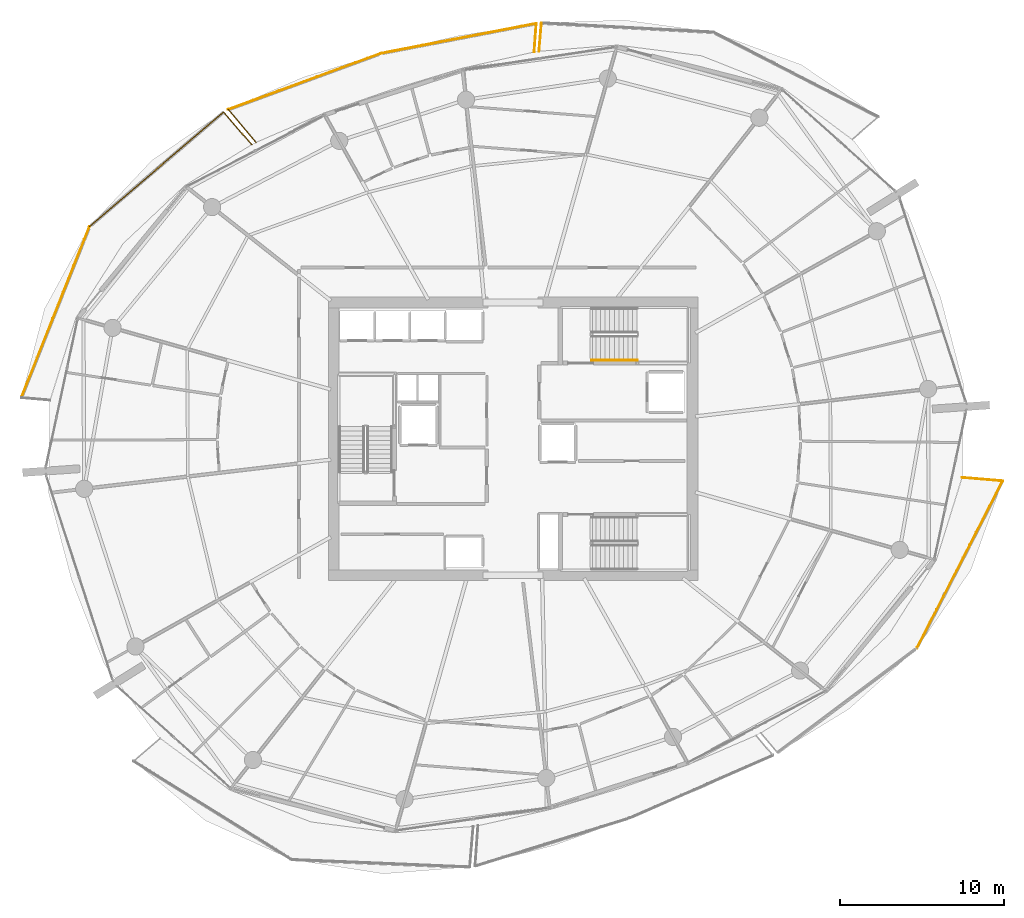
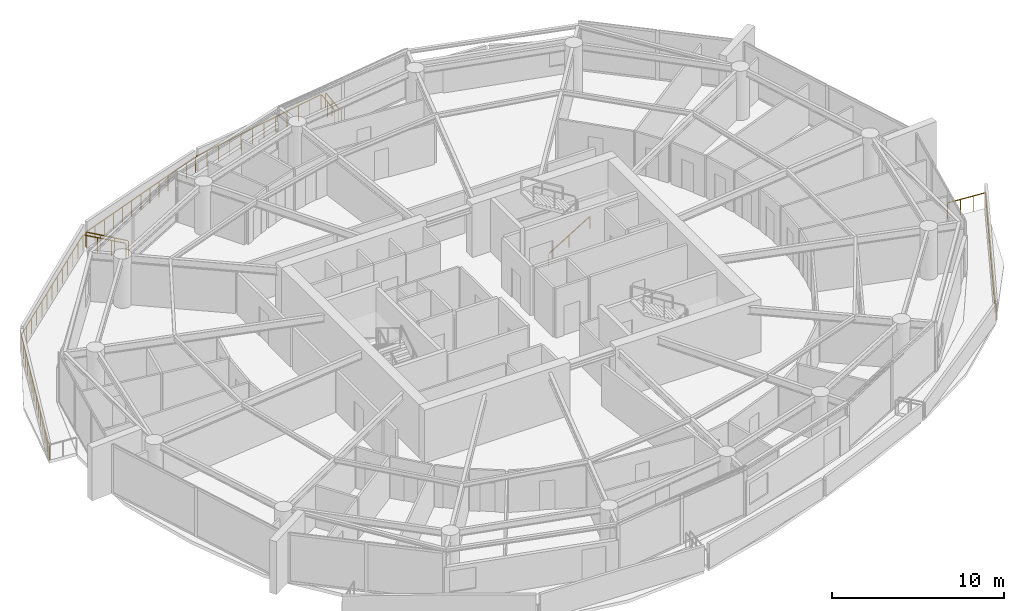
# One storey, part 19 of 20: 11 railings.
"""IFC4 building model written with IfcOpenShell, lengths in metres."""

from ifc_helpers import new_model, si_unit, direction, frame, origin, origin_2d, place, context, subcontext, project, spatial, rectangle, extrude, material, type_object, element, save


model = new_model("IFC4")

# Units and contexts
model_context = context("Model", 3, precision=1e-05, world=origin(), true_north=direction((0.0, 1.0)))
body_context = subcontext(model_context, "Body", "Model", "MODEL_VIEW")
ifc_project = project(units=[si_unit("LENGTHUNIT", "METRE"), si_unit("AREAUNIT", "SQUARE_METRE"), si_unit("VOLUMEUNIT", "CUBIC_METRE"), si_unit("PLANEANGLEUNIT", "RADIAN"), si_unit("MASSUNIT", "GRAM", prefix="KILO")], contexts=[model_context])

# Site, building, storey
site_placement = place(None, origin())
site = spatial("IfcSite", under=ifc_project, at=site_placement, CompositionType="ELEMENT")
building_placement = place(site_placement, origin())
building = spatial("IfcBuilding", under=site, at=building_placement, Name="Kazma Halo Residences", CompositionType="ELEMENT")
storey_placement = place(building_placement, frame((0.0, 0.0, 206.550048828125)))
storey = spatial("IfcBuildingStorey", under=building, at=storey_placement, Name="L52", CompositionType="ELEMENT", Elevation=206.550048828125)

# Railings
ifc_material_1 = material(Name="Aluminium AW-6063 T6 Brushed Cap Rail", Category="aluminium")
railing_type_1 = type_object("IfcRailingType", Name="RLG-BAL-CAP-1120", PredefinedType="BALUSTRADE", material=ifc_material_1)
railing_1_placement = place(storey_placement, frame((50.15380859375, 67.384521484375, 0.0)))
element("IfcRailing", 1, at=railing_1_placement, inside=storey, type_object=railing_type_1, Name="L52 NE wave balcony guard 4", PredefinedType="BALUSTRADE", context=body_context, shape_type="SweptSolid", body=[
    extrude(rectangle(XDim=0.050048828125, YDim=0.050048828125, at=origin_2d()), frame((-0.003662109375, -0.04248046875, 1.09521484375), z_axis=(-0.084582809101, -0.996416453299, 0.0), x_axis=(0.996416453299, -0.084582809101, 0.0)), (0.0, 0.0, 1.0), 1.649658203125),
    extrude(rectangle(XDim=0.0400390625, YDim=0.0400390625, at=origin_2d()), origin(), (0.0, 0.0, 1.0), 1.05810546875),
    extrude(rectangle(XDim=0.0400390625, YDim=0.0400390625, at=origin_2d()), frame((-0.0732421875, -0.8642578125, 0.0)), (0.0, 0.0, 1.0), 1.05810546875),
    extrude(rectangle(XDim=0.0400390625, YDim=0.0400390625, at=origin_2d()), frame((-0.146728515625, -1.728515625, 0.0)), (0.0, 0.0, 1.0), 1.05810546875),
])
railing_2_placement = place(storey_placement, frame((49.713134765625, 65.612060546875, 0.0)))
element("IfcRailing", 2, at=railing_2_placement, inside=storey, type_object=railing_type_1, Name="L52 NNW wave balcony guard 1", PredefinedType="BALUSTRADE", context=body_context, shape_type="SweptSolid", body=[
    extrude(rectangle(XDim=0.050048828125, YDim=0.050048828125, at=origin_2d()), frame((0.003173828125, 0.04248046875, 1.09521484375), z_axis=(0.072381236499, 0.997377038337, 0.0), x_axis=(-0.997377038337, 0.072381236499, 0.0)), (0.0, 0.0, 1.0), 1.65869140625),
    extrude(rectangle(XDim=0.0400390625, YDim=0.0400390625, at=origin_2d()), origin(), (0.0, 0.0, 1.0), 1.05810546875),
    extrude(rectangle(XDim=0.0400390625, YDim=0.0400390625, at=origin_2d()), frame((0.06298828125, 0.86962890625, 0.0)), (0.0, 0.0, 1.0), 1.05810546875),
    extrude(rectangle(XDim=0.0400390625, YDim=0.0400390625, at=origin_2d()), frame((0.126220703125, 1.7392578125, 0.0)), (0.0, 0.0, 1.0), 1.05810546875),
])
railing_3_placement = place(storey_placement, frame((49.83935546875, 67.351318359375, 0.0)))
element("IfcRailing", 3, at=railing_3_placement, inside=storey, type_object=railing_type_1, Name="L52 NNW wave balcony guard 2", PredefinedType="BALUSTRADE", context=body_context, shape_type="SweptSolid", body=[
    extrude(rectangle(XDim=0.050048828125, YDim=0.050048828125, at=origin_2d()), frame((-0.041748046875, -0.008056640625, 1.09521484375), z_axis=(-0.981918343352, -0.189304957647, 0.0), x_axis=(0.189304957647, -0.981918343352, 0.0)), (0.0, 0.0, 1.0), 9.572021484375),
    extrude(rectangle(XDim=0.0400390625, YDim=0.0400390625, at=origin_2d()), origin(), (0.0, 0.0, 1.0), 1.05810546875),
    extrude(rectangle(XDim=0.0400390625, YDim=0.0400390625, at=origin_2d()), frame((-0.862060546875, -0.166259765625, 0.0)), (0.0, 0.0, 1.0), 1.05810546875),
    extrude(rectangle(XDim=0.0400390625, YDim=0.0400390625, at=origin_2d()), frame((-1.72412109375, -0.332275390625, 0.0)), (0.0, 0.0, 1.0), 1.05810546875),
    extrude(rectangle(XDim=0.0400390625, YDim=0.0400390625, at=origin_2d()), frame((-2.586181640625, -0.49853515625, 0.0)), (0.0, 0.0, 1.0), 1.05810546875),
    extrude(rectangle(XDim=0.0400390625, YDim=0.0400390625, at=origin_2d()), frame((-3.4482421875, -0.664794921875, 0.0)), (0.0, 0.0, 1.0), 1.05810546875),
    extrude(rectangle(XDim=0.0400390625, YDim=0.0400390625, at=origin_2d()), frame((-4.310302734375, -0.8310546875, 0.0)), (0.0, 0.0, 1.0), 1.05810546875),
    extrude(rectangle(XDim=0.0400390625, YDim=0.0400390625, at=origin_2d()), frame((-5.172119140625, -0.9970703125, 0.0)), (0.0, 0.0, 1.0), 1.05810546875),
    extrude(rectangle(XDim=0.0400390625, YDim=0.0400390625, at=origin_2d()), frame((-6.0341796875, -1.163330078125, 0.0)), (0.0, 0.0, 1.0), 1.05810546875),
    extrude(rectangle(XDim=0.0400390625, YDim=0.0400390625, at=origin_2d()), frame((-6.896240234375, -1.32958984375, 0.0)), (0.0, 0.0, 1.0), 1.05810546875),
    extrude(rectangle(XDim=0.0400390625, YDim=0.0400390625, at=origin_2d()), frame((-7.75830078125, -1.495849609375, 0.0)), (0.0, 0.0, 1.0), 1.05810546875),
    extrude(rectangle(XDim=0.0400390625, YDim=0.0400390625, at=origin_2d()), frame((-8.620361328125, -1.661865234375, 0.0)), (0.0, 0.0, 1.0), 1.05810546875),
    extrude(rectangle(XDim=0.0400390625, YDim=0.0400390625, at=origin_2d()), frame((-9.482421875, -1.828125, 0.0)), (0.0, 0.0, 1.0), 1.05810546875),
])
railing_4_placement = place(storey_placement, frame((40.35693359375, 65.523193359375, 0.0)))
element("IfcRailing", 4, at=railing_4_placement, inside=storey, type_object=railing_type_1, Name="L52 NNW wave balcony guard 3", PredefinedType="BALUSTRADE", context=body_context, shape_type="SweptSolid", body=[
    extrude(rectangle(XDim=0.050048828125, YDim=0.050048828125, at=origin_2d()), frame((-0.0400390625, -0.0146484375, 1.09521484375), z_axis=(-0.938664070995, -0.344832947706, 0.0), x_axis=(0.344832947706, -0.938664070995, 0.0)), (0.0, 0.0, 1.0), 9.83740234375),
    extrude(rectangle(XDim=0.0400390625, YDim=0.0400390625, at=origin_2d()), origin(), (0.0, 0.0, 1.0), 1.05810546875),
    extrude(rectangle(XDim=0.0400390625, YDim=0.0400390625, at=origin_2d()), frame((-0.776123046875, -0.28515625, 0.0)), (0.0, 0.0, 1.0), 1.05810546875),
    extrude(rectangle(XDim=0.0400390625, YDim=0.0400390625, at=origin_2d()), frame((-1.55224609375, -0.5703125, 0.0)), (0.0, 0.0, 1.0), 1.05810546875),
    extrude(rectangle(XDim=0.0400390625, YDim=0.0400390625, at=origin_2d()), frame((-2.32861328125, -0.85546875, 0.0)), (0.0, 0.0, 1.0), 1.05810546875),
    extrude(rectangle(XDim=0.0400390625, YDim=0.0400390625, at=origin_2d()), frame((-3.104736328125, -1.140625, 0.0)), (0.0, 0.0, 1.0), 1.05810546875),
    extrude(rectangle(XDim=0.0400390625, YDim=0.0400390625, at=origin_2d()), frame((-3.880859375, -1.42578125, 0.0)), (0.0, 0.0, 1.0), 1.05810546875),
    extrude(rectangle(XDim=0.0400390625, YDim=0.0400390625, at=origin_2d()), frame((-4.656982421875, -1.7109375, 0.0)), (0.0, 0.0, 1.0), 1.05810546875),
    extrude(rectangle(XDim=0.0400390625, YDim=0.0400390625, at=origin_2d()), frame((-5.43310546875, -1.995849609375, 0.0)), (0.0, 0.0, 1.0), 1.05810546875),
    extrude(rectangle(XDim=0.0400390625, YDim=0.0400390625, at=origin_2d()), frame((-6.209228515625, -2.281005859375, 0.0)), (0.0, 0.0, 1.0), 1.05810546875),
    extrude(rectangle(XDim=0.0400390625, YDim=0.0400390625, at=origin_2d()), frame((-6.9853515625, -2.566162109375, 0.0)), (0.0, 0.0, 1.0), 1.05810546875),
    extrude(rectangle(XDim=0.0400390625, YDim=0.0400390625, at=origin_2d()), frame((-7.76171875, -2.851318359375, 0.0)), (0.0, 0.0, 1.0), 1.05810546875),
    extrude(rectangle(XDim=0.0400390625, YDim=0.0400390625, at=origin_2d()), frame((-8.537841796875, -3.136474609375, 0.0)), (0.0, 0.0, 1.0), 1.05810546875),
    extrude(rectangle(XDim=0.0400390625, YDim=0.0400390625, at=origin_2d()), frame((-9.31396484375, -3.421630859375, 0.0)), (0.0, 0.0, 1.0), 1.05810546875),
])
railing_5_placement = place(storey_placement, frame((31.04296875, 62.1015625, 0.0)))
element("IfcRailing", 5, at=railing_5_placement, inside=storey, type_object=railing_type_1, Name="L52 NNW wave balcony guard 4", PredefinedType="BALUSTRADE", context=body_context, shape_type="SweptSolid", body=[
    extrude(rectangle(XDim=0.050048828125, YDim=0.050048828125, at=origin_2d()), frame((0.02734375, -0.032470703125, 1.09521484375), z_axis=(0.644757158035, -0.764387471877, 0.0), x_axis=(0.764387471877, 0.644757158035, 0.0)), (0.0, 0.0, 1.0), 2.539306640625),
    extrude(rectangle(XDim=0.0400390625, YDim=0.0400390625, at=origin_2d()), origin(), (0.0, 0.0, 1.0), 1.05810546875),
    extrude(rectangle(XDim=0.0400390625, YDim=0.0400390625, at=origin_2d()), frame((0.56396484375, -0.668701171875, 0.0)), (0.0, 0.0, 1.0), 1.05810546875),
    extrude(rectangle(XDim=0.0400390625, YDim=0.0400390625, at=origin_2d()), frame((1.128173828125, -1.33740234375, 0.0)), (0.0, 0.0, 1.0), 1.05810546875),
    extrude(rectangle(XDim=0.0400390625, YDim=0.0400390625, at=origin_2d()), frame((1.692138671875, -2.006103515625, 0.0)), (0.0, 0.0, 1.0), 1.05810546875),
])
railing_6_placement = place(storey_placement, frame((32.471435546875, 59.958251953125, 0.0)))
element("IfcRailing", 6, at=railing_6_placement, inside=storey, type_object=railing_type_1, Name="L52 NW wave balcony guard 1", PredefinedType="BALUSTRADE", context=body_context, shape_type="SweptSolid", body=[
    extrude(rectangle(XDim=0.050048828125, YDim=0.050048828125, at=origin_2d()), frame((-0.02783203125, 0.0322265625, 1.09521484375), z_axis=(-0.654088758008, 0.756417805612, 0.0), x_axis=(-0.756417805612, -0.654088758008, 0.0)), (0.0, 0.0, 1.0), 2.544189453125),
    extrude(rectangle(XDim=0.0400390625, YDim=0.0400390625, at=origin_2d()), origin(), (0.0, 0.0, 1.0), 1.05810546875),
    extrude(rectangle(XDim=0.0400390625, YDim=0.0400390625, at=origin_2d()), frame((-0.5732421875, 0.662841796875, 0.0)), (0.0, 0.0, 1.0), 1.05810546875),
    extrude(rectangle(XDim=0.0400390625, YDim=0.0400390625, at=origin_2d()), frame((-1.146484375, 1.325927734375, 0.0)), (0.0, 0.0, 1.0), 1.05810546875),
    extrude(rectangle(XDim=0.0400390625, YDim=0.0400390625, at=origin_2d()), frame((-1.7197265625, 1.98876953125, 0.0)), (0.0, 0.0, 1.0), 1.05810546875),
])
railing_7_placement = place(storey_placement, frame((30.751708984375, 61.947021484375, 0.0)))
element("IfcRailing", 7, at=railing_7_placement, inside=storey, type_object=railing_type_1, Name="L52 NW wave balcony guard 2", PredefinedType="BALUSTRADE", context=body_context, shape_type="SweptSolid", body=[
    extrude(rectangle(XDim=0.050048828125, YDim=0.050048828125, at=origin_2d()), frame((-0.0322265625, -0.027587890625, 1.09521484375), z_axis=(-0.760234299522, -0.64964898971, 0.0), x_axis=(0.64964898971, -0.760234299522, 0.0)), (0.0, 0.0, 1.0), 10.67529296875),
    extrude(rectangle(XDim=0.0400390625, YDim=0.0400390625, at=origin_2d()), origin(), (0.0, 0.0, 1.0), 1.05810546875),
    extrude(rectangle(XDim=0.0400390625, YDim=0.0400390625, at=origin_2d()), frame((-0.681640625, -0.58251953125, 0.0)), (0.0, 0.0, 1.0), 1.05810546875),
    extrude(rectangle(XDim=0.0400390625, YDim=0.0400390625, at=origin_2d()), frame((-1.36328125, -1.1650390625, 0.0)), (0.0, 0.0, 1.0), 1.05810546875),
    extrude(rectangle(XDim=0.0400390625, YDim=0.0400390625, at=origin_2d()), frame((-2.045166015625, -1.74755859375, 0.0)), (0.0, 0.0, 1.0), 1.05810546875),
    extrude(rectangle(XDim=0.0400390625, YDim=0.0400390625, at=origin_2d()), frame((-2.726806640625, -2.330078125, 0.0)), (0.0, 0.0, 1.0), 1.05810546875),
    extrude(rectangle(XDim=0.0400390625, YDim=0.0400390625, at=origin_2d()), frame((-3.408447265625, -2.91259765625, 0.0)), (0.0, 0.0, 1.0), 1.05810546875),
    extrude(rectangle(XDim=0.0400390625, YDim=0.0400390625, at=origin_2d()), frame((-4.09033203125, -3.4951171875, 0.0)), (0.0, 0.0, 1.0), 1.05810546875),
    extrude(rectangle(XDim=0.0400390625, YDim=0.0400390625, at=origin_2d()), frame((-4.77197265625, -4.077880859375, 0.0)), (0.0, 0.0, 1.0), 1.05810546875),
    extrude(rectangle(XDim=0.0400390625, YDim=0.0400390625, at=origin_2d()), frame((-5.45361328125, -4.660400390625, 0.0)), (0.0, 0.0, 1.0), 1.05810546875),
    extrude(rectangle(XDim=0.0400390625, YDim=0.0400390625, at=origin_2d()), frame((-6.13525390625, -5.242919921875, 0.0)), (0.0, 0.0, 1.0), 1.05810546875),
    extrude(rectangle(XDim=0.0400390625, YDim=0.0400390625, at=origin_2d()), frame((-6.81689453125, -5.825439453125, 0.0)), (0.0, 0.0, 1.0), 1.05810546875),
    extrude(rectangle(XDim=0.0400390625, YDim=0.0400390625, at=origin_2d()), frame((-7.498779296875, -6.407958984375, 0.0)), (0.0, 0.0, 1.0), 1.05810546875),
    extrude(rectangle(XDim=0.0400390625, YDim=0.0400390625, at=origin_2d()), frame((-8.180419921875, -6.990478515625, 0.0)), (0.0, 0.0, 1.0), 1.05810546875),
])
railing_8_placement = place(storey_placement, frame((22.5712890625, 54.95654296875, 0.0)))
element("IfcRailing", 8, at=railing_8_placement, inside=storey, type_object=railing_type_1, Name="L52 NW wave balcony guard 3", PredefinedType="BALUSTRADE", context=body_context, shape_type="SweptSolid", body=[
    extrude(rectangle(XDim=0.050048828125, YDim=0.050048828125, at=origin_2d()), frame((-0.015625, -0.03955078125, 1.09521484375), z_axis=(-0.369783962807, -0.929117764791, 0.0), x_axis=(0.929117764791, -0.369783962807, 0.0)), (0.0, 0.0, 1.0), 11.157958984375),
    extrude(rectangle(XDim=0.0400390625, YDim=0.0400390625, at=origin_2d()), origin(), (0.0, 0.0, 1.0), 1.05810546875),
    extrude(rectangle(XDim=0.0400390625, YDim=0.0400390625, at=origin_2d()), frame((-0.31982421875, -0.803466796875, 0.0)), (0.0, 0.0, 1.0), 1.05810546875),
    extrude(rectangle(XDim=0.0400390625, YDim=0.0400390625, at=origin_2d()), frame((-0.6396484375, -1.607177734375, 0.0)), (0.0, 0.0, 1.0), 1.05810546875),
    extrude(rectangle(XDim=0.0400390625, YDim=0.0400390625, at=origin_2d()), frame((-0.95947265625, -2.41064453125, 0.0)), (0.0, 0.0, 1.0), 1.05810546875),
    extrude(rectangle(XDim=0.0400390625, YDim=0.0400390625, at=origin_2d()), frame((-1.279296875, -3.214111328125, 0.0)), (0.0, 0.0, 1.0), 1.05810546875),
    extrude(rectangle(XDim=0.0400390625, YDim=0.0400390625, at=origin_2d()), frame((-1.59912109375, -4.017822265625, 0.0)), (0.0, 0.0, 1.0), 1.05810546875),
    extrude(rectangle(XDim=0.0400390625, YDim=0.0400390625, at=origin_2d()), frame((-1.9189453125, -4.8212890625, 0.0)), (0.0, 0.0, 1.0), 1.05810546875),
    extrude(rectangle(XDim=0.0400390625, YDim=0.0400390625, at=origin_2d()), frame((-2.238525390625, -5.624755859375, 0.0)), (0.0, 0.0, 1.0), 1.05810546875),
    extrude(rectangle(XDim=0.0400390625, YDim=0.0400390625, at=origin_2d()), frame((-2.558349609375, -6.42822265625, 0.0)), (0.0, 0.0, 1.0), 1.05810546875),
    extrude(rectangle(XDim=0.0400390625, YDim=0.0400390625, at=origin_2d()), frame((-2.878173828125, -7.23193359375, 0.0)), (0.0, 0.0, 1.0), 1.05810546875),
    extrude(rectangle(XDim=0.0400390625, YDim=0.0400390625, at=origin_2d()), frame((-3.197998046875, -8.035400390625, 0.0)), (0.0, 0.0, 1.0), 1.05810546875),
    extrude(rectangle(XDim=0.0400390625, YDim=0.0400390625, at=origin_2d()), frame((-3.517822265625, -8.8388671875, 0.0)), (0.0, 0.0, 1.0), 1.05810546875),
    extrude(rectangle(XDim=0.0400390625, YDim=0.0400390625, at=origin_2d()), frame((-3.837646484375, -9.642578125, 0.0)), (0.0, 0.0, 1.0), 1.05810546875),
    extrude(rectangle(XDim=0.0400390625, YDim=0.0400390625, at=origin_2d()), frame((-4.157470703125, -10.446044921875, 0.0)), (0.0, 0.0, 1.0), 1.05810546875),
])
railing_9_placement = place(storey_placement, frame((73.073974609375, 29.22412109375, 0.0)))
element("IfcRailing", 9, at=railing_9_placement, inside=storey, type_object=railing_type_1, Name="L52 SE wave balcony guard 3", PredefinedType="BALUSTRADE", context=body_context, shape_type="SweptSolid", body=[
    extrude(rectangle(XDim=0.050048828125, YDim=0.050048828125, at=origin_2d()), frame((0.019287109375, 0.037841796875, 1.09521484375), z_axis=(0.456200806957, 0.889876858746, 0.0), x_axis=(-0.889876858746, 0.456200806957, 0.0)), (0.0, 0.0, 1.0), 11.38232421875),
    extrude(rectangle(XDim=0.0400390625, YDim=0.0400390625, at=origin_2d()), origin(), (0.0, 0.0, 1.0), 1.05810546875),
    extrude(rectangle(XDim=0.0400390625, YDim=0.0400390625, at=origin_2d()), frame((0.40234375, 0.784912109375, 0.0)), (0.0, 0.0, 1.0), 1.05810546875),
    extrude(rectangle(XDim=0.0400390625, YDim=0.0400390625, at=origin_2d()), frame((0.804931640625, 1.56982421875, 0.0)), (0.0, 0.0, 1.0), 1.05810546875),
    extrude(rectangle(XDim=0.0400390625, YDim=0.0400390625, at=origin_2d()), frame((1.207275390625, 2.35498046875, 0.0)), (0.0, 0.0, 1.0), 1.05810546875),
    extrude(rectangle(XDim=0.0400390625, YDim=0.0400390625, at=origin_2d()), frame((1.609619140625, 3.139892578125, 0.0)), (0.0, 0.0, 1.0), 1.05810546875),
    extrude(rectangle(XDim=0.0400390625, YDim=0.0400390625, at=origin_2d()), frame((2.01220703125, 3.9248046875, 0.0)), (0.0, 0.0, 1.0), 1.05810546875),
    extrude(rectangle(XDim=0.0400390625, YDim=0.0400390625, at=origin_2d()), frame((2.41455078125, 4.709716796875, 0.0)), (0.0, 0.0, 1.0), 1.05810546875),
    extrude(rectangle(XDim=0.0400390625, YDim=0.0400390625, at=origin_2d()), frame((2.81689453125, 5.494873046875, 0.0)), (0.0, 0.0, 1.0), 1.05810546875),
    extrude(rectangle(XDim=0.0400390625, YDim=0.0400390625, at=origin_2d()), frame((3.21923828125, 6.27978515625, 0.0)), (0.0, 0.0, 1.0), 1.05810546875),
    extrude(rectangle(XDim=0.0400390625, YDim=0.0400390625, at=origin_2d()), frame((3.621826171875, 7.064697265625, 0.0)), (0.0, 0.0, 1.0), 1.05810546875),
    extrude(rectangle(XDim=0.0400390625, YDim=0.0400390625, at=origin_2d()), frame((4.024169921875, 7.849609375, 0.0)), (0.0, 0.0, 1.0), 1.05810546875),
    extrude(rectangle(XDim=0.0400390625, YDim=0.0400390625, at=origin_2d()), frame((4.426513671875, 8.634765625, 0.0)), (0.0, 0.0, 1.0), 1.05810546875),
    extrude(rectangle(XDim=0.0400390625, YDim=0.0400390625, at=origin_2d()), frame((4.8291015625, 9.419677734375, 0.0)), (0.0, 0.0, 1.0), 1.05810546875),
    extrude(rectangle(XDim=0.0400390625, YDim=0.0400390625, at=origin_2d()), frame((5.2314453125, 10.20458984375, 0.0)), (0.0, 0.0, 1.0), 1.05810546875),
])
railing_10_placement = place(storey_placement, frame((78.305419921875, 39.4287109375, 0.0)))
element("IfcRailing", 10, at=railing_10_placement, inside=storey, type_object=railing_type_1, Name="L52 SE wave balcony guard 4", PredefinedType="BALUSTRADE", context=body_context, shape_type="SweptSolid", body=[
    extrude(rectangle(XDim=0.050048828125, YDim=0.050048828125, at=origin_2d()), frame((-0.04248046875, 0.003662109375, 1.09521484375), z_axis=(-0.996426620015, 0.084462955935, 0.0), x_axis=(-0.084462955935, -0.996426620015, 0.0)), (0.0, 0.0, 1.0), 2.39501953125),
    extrude(rectangle(XDim=0.0400390625, YDim=0.0400390625, at=origin_2d()), origin(), (0.0, 0.0, 1.0), 1.05810546875),
    extrude(rectangle(XDim=0.0400390625, YDim=0.0400390625, at=origin_2d()), frame((-0.82373046875, 0.06982421875, 0.0)), (0.0, 0.0, 1.0), 1.05810546875),
    extrude(rectangle(XDim=0.0400390625, YDim=0.0400390625, at=origin_2d()), frame((-1.6474609375, 0.1396484375, 0.0)), (0.0, 0.0, 1.0), 1.05810546875),
    extrude(rectangle(XDim=0.0400390625, YDim=0.0400390625, at=origin_2d()), frame((-2.47119140625, 0.20947265625, 0.0)), (0.0, 0.0, 1.0), 1.05810546875),
])
ifc_material_2 = material(Name="Brushed Stainless Steel", Category="steel")
railing_type_2 = type_object("IfcRailingType", Name="RLG-STAIR-HND-900", PredefinedType="HANDRAIL", material=ifc_material_2)
railing_11_placement = place(storey_placement, frame((53.199951171875, 46.800048828125, 0.17041015625)))
element("IfcRailing", 11, at=railing_11_placement, inside=storey, type_object=railing_type_2, Name="L52 ST-02 stair handrail 1", PredefinedType="HANDRAIL", context=body_context, shape_type="SweptSolid", body=[
    extrude(rectangle(XDim=0.050048828125, YDim=0.050048828125, at=origin_2d()), frame((0.036376953125, 0.0, 0.89697265625), z_axis=(0.854169791009, 0.0, 0.51999420009), x_axis=(0.0, 1.0, 0.0)), (0.0, 0.0, 1.0), 3.193115234375),
    extrude(rectangle(XDim=0.0400390625, YDim=0.0400390625, at=origin_2d()), origin(), (0.0, 0.0, 1.0), 0.837890625),
    extrude(rectangle(XDim=0.0400390625, YDim=0.0400390625, at=origin_2d()), frame((1.39990234375, 0.0, 0.852294921875)), (0.0, 0.0, 1.0), 0.837890625),
    extrude(rectangle(XDim=0.0400390625, YDim=0.0400390625, at=origin_2d()), frame((2.800048828125, 0.0, 1.70458984375)), (0.0, 0.0, 1.0), 0.837890625),
])

save(model, "model.ifc")
